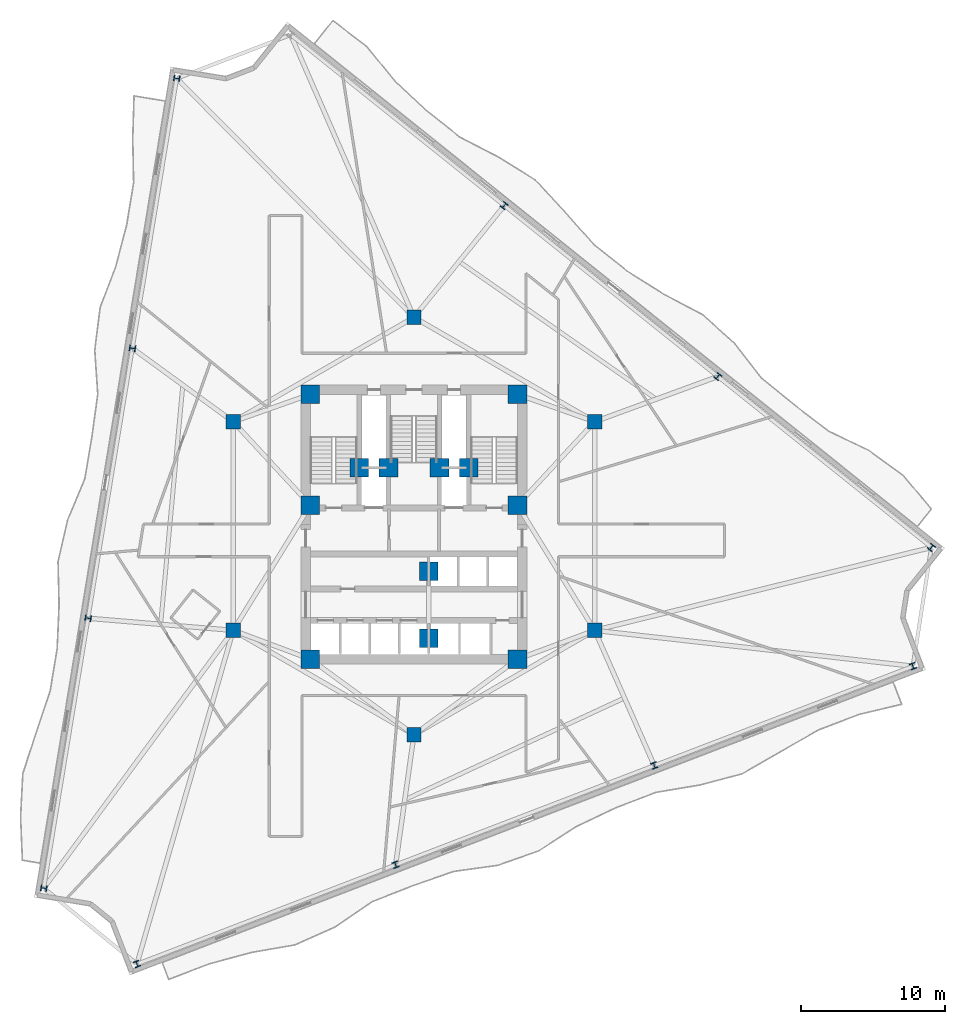
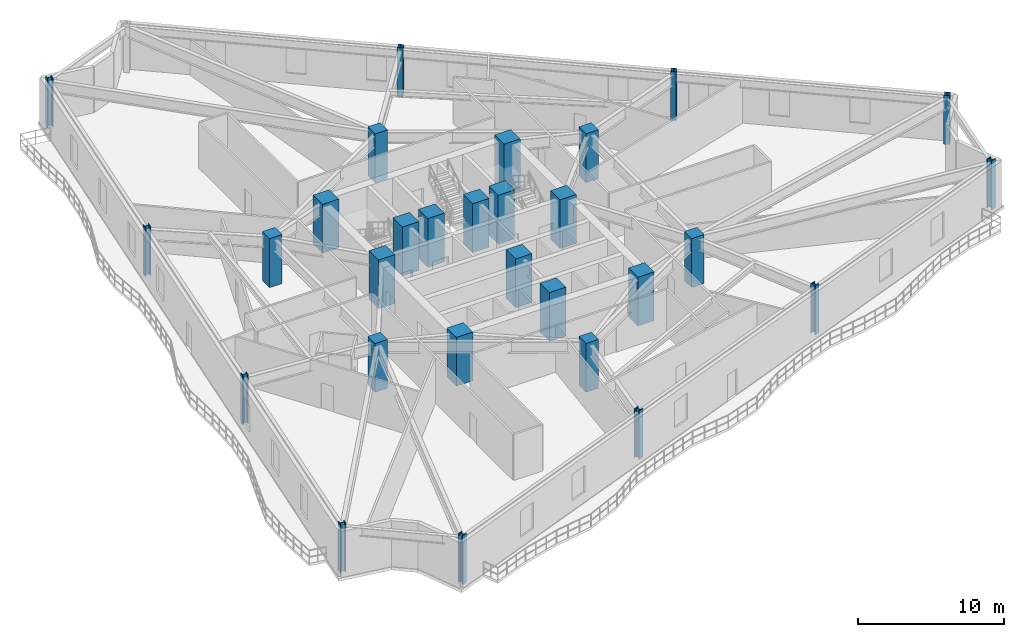
# One storey, part 1 of 11: 29 columns.
"""IFC4 building model written with IfcOpenShell, lengths in metres."""

from ifc_helpers import new_model, si_unit, direction, frame, origin, origin_2d, place, context, subcontext, project, spatial, rectangle, i_section, extrude, material, material_profile, profile_set, type_object, element, save


model = new_model("IFC4")

# Units and contexts
model_context = context("Model", 3, precision=1e-05, world=origin(), true_north=direction((0.0, 1.0)))
body_context = subcontext(model_context, "Body", "Model", "MODEL_VIEW")
ifc_project = project(units=[si_unit("LENGTHUNIT", "METRE"), si_unit("AREAUNIT", "SQUARE_METRE"), si_unit("VOLUMEUNIT", "CUBIC_METRE"), si_unit("PLANEANGLEUNIT", "RADIAN"), si_unit("MASSUNIT", "GRAM", prefix="KILO")], contexts=[model_context])

# Site, building, storey
site_placement = place(None, origin())
site = spatial("IfcSite", under=ifc_project, at=site_placement, CompositionType="ELEMENT")
building_placement = place(site_placement, origin())
building = spatial("IfcBuilding", under=site, at=building_placement, Name="Apsidion Concourse Tower", CompositionType="ELEMENT")
storey_placement = place(building_placement, frame((0.0, 0.0, 148.60009765625)))
storey = spatial("IfcBuildingStorey", under=building, at=storey_placement, Name="L34", CompositionType="ELEMENT", Elevation=148.60009765625)

# Columns
ifc_material_1 = material(Name="Concrete C50/60", Category="concrete")
ifc_material_profile_1 = material_profile(ifc_material_1, rectangle(XDim=1.0, YDim=1.0, at=origin_2d()), Name="RC 1000x1000")
ifc_profile_set_1 = profile_set([ifc_material_profile_1], Name="Concrete C50/60")
column_type_1 = type_object("IfcColumnType", Name="COL-RC-1000", PredefinedType="COLUMN", material=ifc_profile_set_1)
for number, where, z_axis, x_axis, name in (
    (1, (-12.56005859375, -7.25, 0.0), (0.0, 0.0, 1.0), (1.0, 0.0, 0.0), "L34 Interior Spine Column IC1"),
    (2, (12.56005859375, -7.25, 0.0), (0.0, 0.0, 1.0), (1.0, 0.0, 0.0), "L34 Interior Spine Column IC2"),
    (3, (12.56005859375, 7.25, 0.0), (0.0, 0.0, 1.0), (1.0, 0.0, 0.0), "L34 Interior Spine Column IC3"),
    (4, (0.0, 14.5, 0.0), (0.0, 0.0, 1.0), (1.0, 0.0, 0.0), "L34 Interior Spine Column IC4"),
    (5, (-12.56005859375, 7.25, 0.0), (0.0, 0.0, 1.0), (1.0, 0.0, 0.0), "L34 Interior Spine Column IC5"),
    (6, (0.0, -14.5, 0.0), (0.0, 0.0, 1.0), (1.0, 0.0, 0.0), "L34 Interior Spine Column IC6"),
):
    element("IfcColumn", number, at=place(storey_placement, frame(where, z_axis=z_axis, x_axis=x_axis)), inside=storey, type_object=column_type_1, Name=name, PredefinedType="COLUMN", context=body_context, shape_type="SweptSolid", body=[
        extrude(rectangle(XDim=1.0, YDim=1.0, at=origin_2d()), origin(), (0.0, 0.0, 1.0), 4.099853515625),
    ])
ifc_material_profile_2 = material_profile(ifc_material_1, rectangle(XDim=1.300048828125, YDim=1.300048828125, at=origin_2d()), Name="RC 1300x1300")
ifc_profile_set_2 = profile_set([ifc_material_profile_2], Name="Concrete C50/60")
column_type_2 = type_object("IfcColumnType", Name="COL-RC-1300", PredefinedType="COLUMN", material=ifc_profile_set_2)
for number, where, z_axis, x_axis, name in (
    (7, (-7.199951171875, -9.25, 0.0), (0.0, 0.0, 1.0), (1.0, 0.0, 0.0), "L34 Core Super-Column SC1"),
    (8, (7.199951171875, -9.25, 0.0), (0.0, 0.0, 1.0), (1.0, 0.0, 0.0), "L34 Core Super-Column SC2"),
    (9, (7.199951171875, 1.449951171875, 0.0), (0.0, 0.0, 1.0), (1.0, 0.0, 0.0), "L34 Core Super-Column SC3"),
    (10, (7.199951171875, 9.14990234375, 0.0), (0.0, 0.0, 1.0), (1.0, 0.0, 0.0), "L34 Core Super-Column SC4"),
    (11, (-7.199951171875, 9.14990234375, 0.0), (0.0, 0.0, 1.0), (1.0, 0.0, 0.0), "L34 Core Super-Column SC5"),
    (12, (-7.199951171875, 1.449951171875, 0.0), (0.0, 0.0, 1.0), (1.0, 0.0, 0.0), "L34 Core Super-Column SC6"),
    (13, (-3.800048828125, 4.050048828125, 0.0), (0.0, 0.0, 1.0), (1.0, 0.0, 0.0), "L34 Core Super-Column CC1"),
    (14, (3.800048828125, 4.050048828125, 0.0), (0.0, 0.0, 1.0), (1.0, 0.0, 0.0), "L34 Core Super-Column CC2"),
    (15, (-1.77490234375, 4.050048828125, 0.0), (0.0, 0.0, 1.0), (1.0, 0.0, 0.0), "L34 Core Super-Column CC3"),
    (16, (1.77490234375, 4.050048828125, 0.0), (0.0, 0.0, 1.0), (1.0, 0.0, 0.0), "L34 Core Super-Column CC4"),
    (17, (1.02490234375, -3.14990234375, 0.0), (0.0, 0.0, 1.0), (1.0, 0.0, 0.0), "L34 Core Super-Column CC5"),
    (18, (1.02490234375, -7.800048828125, 0.0), (0.0, 0.0, 1.0), (1.0, 0.0, 0.0), "L34 Core Super-Column CC6"),
):
    element("IfcColumn", number, at=place(storey_placement, frame(where, z_axis=z_axis, x_axis=x_axis)), inside=storey, type_object=column_type_2, Name=name, PredefinedType="COLUMN", context=body_context, shape_type="SweptSolid", body=[
        extrude(rectangle(XDim=1.300048828125, YDim=1.300048828125, at=origin_2d()), origin(), (0.0, 0.0, 1.0), 4.099853515625),
    ])
ifc_material_2 = material(Name="Structural steel ASTM A992 Grade 50", Category="steel")
ifc_material_profile_3 = material_profile(ifc_material_2, i_section(OverallWidth=0.410888671875, OverallDepth=0.43408203125, WebThickness=0.035888671875, FlangeThickness=0.057373046875, at=origin_2d()), Name="W14X311")
ifc_profile_set_3 = profile_set([ifc_material_profile_3], Name="Structural steel ASTM A992 Grade 50")
column_type_3 = type_object("IfcColumnType", Name="COL-W14-311", PredefinedType="COLUMN", material=ifc_profile_set_3)
for number, where, z_axis, x_axis, name in (
    (19, (-16.477294921875, 31.100341796875, 0.0), (0.0, 0.0, 1.0), (0.162120515372, 0.986770965572, 0.0), "L34 Rotated Perimeter Column PC01"),
    (20, (-19.55859375, 12.34619140625, 0.0), (0.0, 0.0, 1.0), (0.162120515372, 0.986770965572, 0.0), "L34 Rotated Perimeter Column PC02"),
    (21, (-22.6396484375, -6.407958984375, 0.0), (0.0, 0.0, 1.0), (0.162120515372, 0.986770965572, 0.0), "L34 Rotated Perimeter Column PC03"),
    (22, (-25.720703125, -25.162109375, 0.0), (0.0, 0.0, 1.0), (0.162120515372, 0.986770965572, 0.0), "L34 Rotated Perimeter Column PC04"),
    (23, (-19.247314453125, -30.435302734375, 0.0), (0.0, 0.0, 1.0), (0.933580426497, 0.358367949545, 0.0), "L34 Rotated Perimeter Column PC05"),
    (24, (-1.275146484375, -23.53662109375, 0.0), (0.0, 0.0, 1.0), (0.933580426497, 0.358367949545, 0.0), "L34 Rotated Perimeter Column PC06"),
    (25, (16.69677734375, -16.6376953125, 0.0), (0.0, 0.0, 1.0), (0.933580426497, 0.358367949545, 0.0), "L34 Rotated Perimeter Column PC07"),
    (26, (34.668701171875, -9.739013671875, 0.0), (0.0, 0.0, 1.0), (0.933580426497, 0.358367949545, 0.0), "L34 Rotated Perimeter Column PC08"),
    (27, (35.951171875, -1.488525390625, 0.0), (0.0, 0.0, 1.0), (-0.780757676633, 0.624833938242, 0.0), "L34 Rotated Perimeter Column PC09"),
    (28, (21.1123046875, 10.38671875, 0.0), (0.0, 0.0, 1.0), (-0.780757676633, 0.624833938242, 0.0), "L34 Rotated Perimeter Column PC10"),
    (29, (6.2734375, 22.26220703125, 0.0), (0.0, 0.0, 1.0), (-0.780757676633, 0.624833938242, 0.0), "L34 Rotated Perimeter Column PC11"),
):
    element("IfcColumn", number, at=place(storey_placement, frame(where, z_axis=z_axis, x_axis=x_axis)), inside=storey, type_object=column_type_3, Name=name, PredefinedType="COLUMN", context=body_context, shape_type="SweptSolid", body=[
        extrude(i_section(OverallWidth=0.410888671875, OverallDepth=0.43408203125, WebThickness=0.035888671875, FlangeThickness=0.057373046875, at=origin_2d()), origin(), (0.0, 0.0, 1.0), 4.099853515625),
    ])

save(model, "model.ifc")
